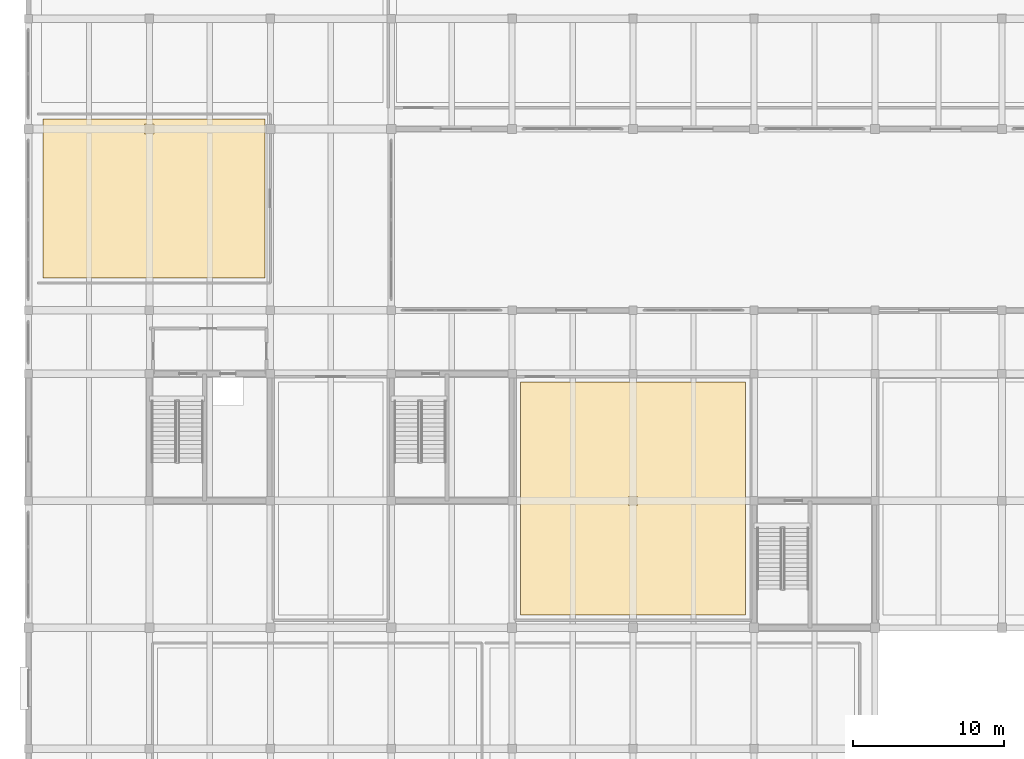
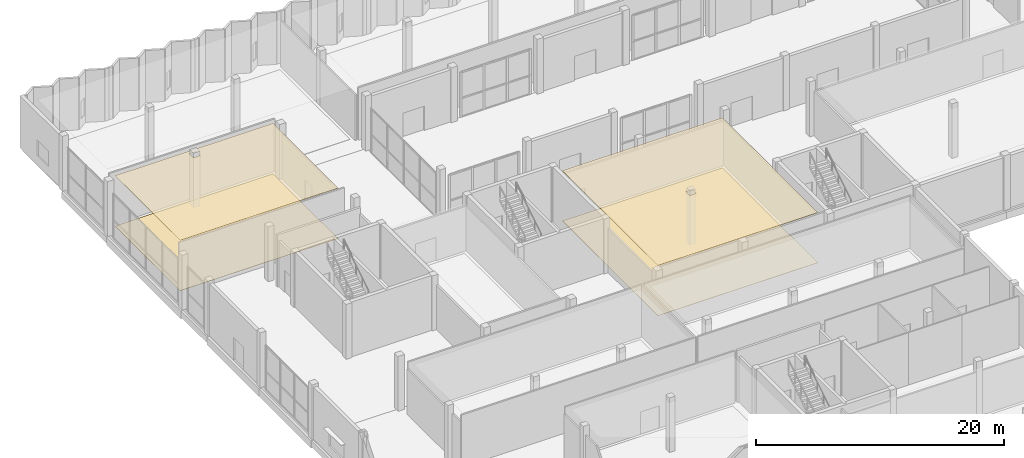
# One storey, part 37 of 41: 4 coverings.
"""IFC4 building model written with IfcOpenShell, lengths in metres."""

from ifc_helpers import new_model, si_unit, direction, frame, origin, place, context, subcontext, project, spatial, polyline, outline, extrude, material, layer, layer_set, type_object, element, save


model = new_model("IFC4")

# Units and contexts
model_context = context("Model", 3, precision=1e-05, world=origin(), true_north=direction((0.0, 1.0)))
body_context = subcontext(model_context, "Body", "Model", "MODEL_VIEW")
ifc_project = project(units=[si_unit("LENGTHUNIT", "METRE"), si_unit("AREAUNIT", "SQUARE_METRE"), si_unit("VOLUMEUNIT", "CUBIC_METRE"), si_unit("PLANEANGLEUNIT", "RADIAN"), si_unit("MASSUNIT", "GRAM", prefix="KILO")], contexts=[model_context])

# Site, building, storey
site_placement = place(None, origin())
site = spatial("IfcSite", under=ifc_project, at=site_placement, CompositionType="ELEMENT")
building_placement = place(site_placement, origin())
building = spatial("IfcBuilding", under=site, at=building_placement, Name="Vharandega Faculty of Natural Sciences", CompositionType="ELEMENT")
storey_placement = place(building_placement, origin())
storey = spatial("IfcBuildingStorey", under=building, at=storey_placement, Name="L00", CompositionType="ELEMENT", Elevation=0.0)

# Coverings
ifc_material_1 = material(Name="Perforated acoustic timber ceiling panels", Category="wood")
ifc_layer_1 = layer(ifc_material_1, 0.030029296875, Name="Perforated acoustic timber ceiling panels")
ifc_layer_set_1 = layer_set([ifc_layer_1], Name="Perforated acoustic timber ceiling panels")
covering_type_1 = type_object("IfcCoveringType", Name="Perforated Acoustic Timber Ceiling 30mm", PredefinedType="CEILING", material=ifc_layer_set_1)
covering_1_placement = place(storey_placement, frame((0.0, 0.0, 4.9599609375)))
element("IfcCovering", 1, at=covering_1_placement, inside=storey, type_object=covering_type_1, Name="L00-CAF1 Acoustic Ceiling", PredefinedType="CEILING", context=body_context, shape_type="SweptSolid", body=[
    extrude(outline(polyline([(0.949951171875, 87.14990234375), (15.64990234375, 87.14990234375), (15.64990234375, 97.64990234375), (0.949951171875, 97.64990234375), (0.949951171875, 87.14990234375)]), holes=[polyline([(7.679931640625, 96.679931640625), (8.320068359375, 96.679931640625), (8.320068359375, 97.320068359375), (7.679931640625, 97.320068359375), (7.679931640625, 96.679931640625)])]), origin(), (0.0, 0.0, 1.0), 0.030029296875),
])
covering_2_placement = place(storey_placement, frame((0.0, 0.0, 4.93994140625)))
element("IfcCovering", 2, at=covering_2_placement, inside=storey, type_object=covering_type_1, Name="L00-ATR1C Acoustic Ceiling", PredefinedType="CEILING", context=body_context, shape_type="SweptSolid", body=[
    extrude(outline(polyline([(32.550048828125, 64.85009765625), (47.449951171875, 64.85009765625), (47.449951171875, 80.25), (32.550048828125, 80.25), (32.550048828125, 64.85009765625)]), holes=[polyline([(39.705078125, 72.10498046875), (40.294921875, 72.10498046875), (40.294921875, 72.695068359375), (39.705078125, 72.695068359375), (39.705078125, 72.10498046875)])]), origin(), (0.0, 0.0, 1.0), 0.030029296875),
])
ifc_material_2 = material(Name="Polished Harare granite terrazzo flooring", Category="masonry")
ifc_layer_2 = layer(ifc_material_2, 0.02490234375, Name="Polished Harare granite terrazzo flooring")
ifc_layer_set_2 = layer_set([ifc_layer_2], Name="Polished Harare granite terrazzo flooring")
covering_type_2 = type_object("IfcCoveringType", Name="Terrazzo Concourse Flooring 25mm", PredefinedType="FLOORING", material=ifc_layer_set_2)
covering_3_placement = place(storey_placement, origin())
element("IfcCovering", 3, at=covering_3_placement, inside=storey, type_object=covering_type_2, Name="L00-CAF1 Finish Flooring", PredefinedType="FLOORING", context=body_context, shape_type="SweptSolid", body=[
    extrude(outline(polyline([(0.949951171875, 87.14990234375), (15.64990234375, 87.14990234375), (15.64990234375, 97.64990234375), (0.949951171875, 97.64990234375), (0.949951171875, 87.14990234375)])), origin(), (0.0, 0.0, 1.0), 0.02490234375),
])
covering_4_placement = place(storey_placement, origin())
element("IfcCovering", 4, at=covering_4_placement, inside=storey, type_object=covering_type_2, Name="L00-ATR1C Finish Flooring", PredefinedType="FLOORING", context=body_context, shape_type="SweptSolid", body=[
    extrude(outline(polyline([(32.550048828125, 64.85009765625), (47.449951171875, 64.85009765625), (47.449951171875, 80.25), (32.550048828125, 80.25), (32.550048828125, 64.85009765625)])), origin(), (0.0, 0.0, 1.0), 0.02490234375),
])

save(model, "model.ifc")
